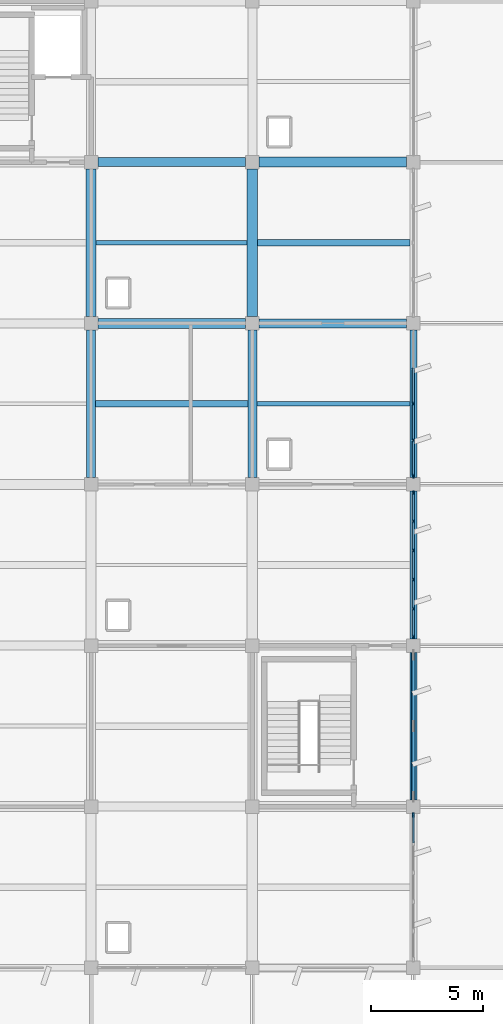
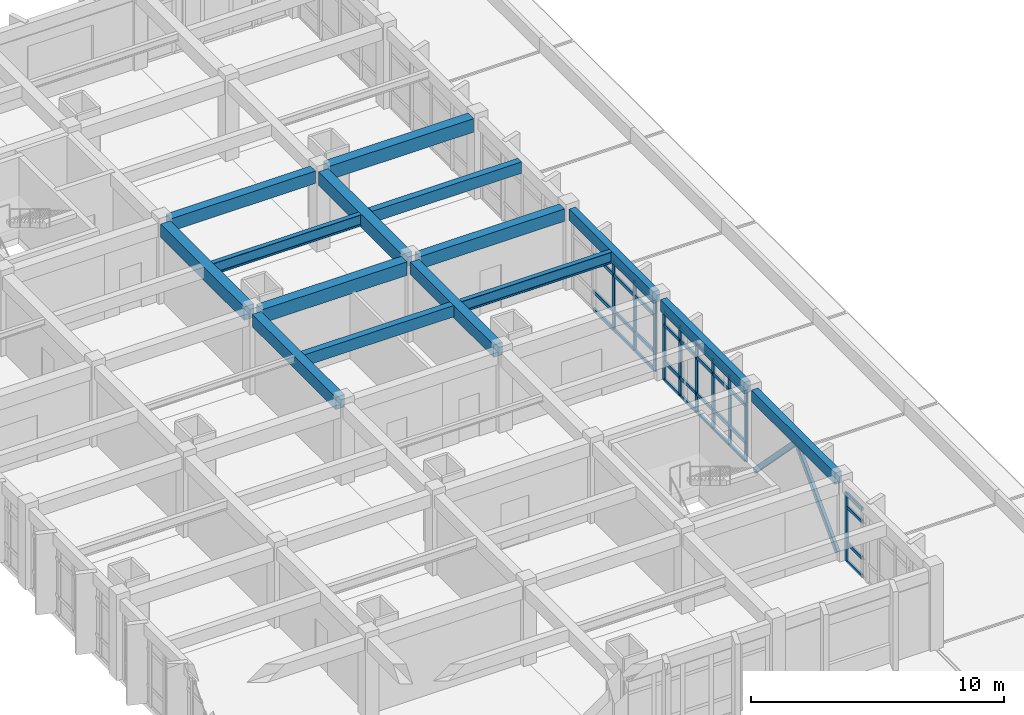
# One storey, part 23 of 62: 49 members, 13 beams, 3 elements without a shape of their own.
"""IFC4 building model written with IfcOpenShell, lengths in metres."""

from ifc_helpers import new_model, si_unit, direction, frame, origin, origin_2d, place, context, subcontext, project, spatial, rectangle, hollow_rectangle, i_section, extrude, material, layer, layer_set, material_profile, profile_set, type_object, element, aggregate, save


model = new_model("IFC4")

# Units and contexts
model_context = context("Model", 3, precision=1e-05, world=origin(), true_north=direction((0.0, 1.0)))
body_context = subcontext(model_context, "Body", "Model", "MODEL_VIEW")
ifc_project = project(units=[si_unit("LENGTHUNIT", "METRE"), si_unit("AREAUNIT", "SQUARE_METRE"), si_unit("VOLUMEUNIT", "CUBIC_METRE"), si_unit("PLANEANGLEUNIT", "RADIAN"), si_unit("MASSUNIT", "GRAM", prefix="KILO")], contexts=[model_context])

# Site, building, storey
site_placement = place(None, origin())
site = spatial("IfcSite", under=ifc_project, at=site_placement, CompositionType="ELEMENT")
building_placement = place(site_placement, origin())
building = spatial("IfcBuilding", under=site, at=building_placement, Name="Kavelor Marine Aquarium", CompositionType="ELEMENT")
storey_placement = place(building_placement, frame((0.0, 0.0, 13.5)))
storey = spatial("IfcBuildingStorey", under=building, at=storey_placement, Name="L03", CompositionType="ELEMENT", Elevation=13.5)

# Beams
ifc_material_1 = material(Name="Concrete C40/50", Category="concrete")
ifc_material_profile_1 = material_profile(ifc_material_1, rectangle(XDim=0.449951171875, YDim=0.64990234375, at=origin_2d()), Name="RC-BM 450x650")
ifc_profile_set_1 = profile_set([ifc_material_profile_1], Name="Concrete C40/50")
beam_type_1 = type_object("IfcBeamType", Name="BM-B3", PredefinedType="BEAM", material=ifc_profile_set_1)
for number, where, z_axis, x_axis, name in (
    (1, (133.10009765625, 89.199951171875, 3.534912109375), (1.0, 0.0, 0.0), (0.0, 1.0, 0.0), "bm:x:L03:L04:18_12"),
    (2, (140.300048828125, 96.39990234375, 3.554931640625), (1.0, 0.0, 0.0), (0.0, 1.0, 0.0), "bm:x:L03:L04:19_13"),
):
    element("IfcBeam", number, at=place(storey_placement, frame(where, z_axis=z_axis, x_axis=x_axis)), inside=storey, type_object=beam_type_1, Name=name, PredefinedType="BEAM", context=body_context, shape_type="SweptSolid", body=[
        extrude(rectangle(XDim=0.449951171875, YDim=0.64990234375, at=origin_2d()), origin(), (0.0, 0.0, 1.0), 6.599853515625),
    ])
for number, where, z_axis, x_axis, name in (
    (3, (132.800048828125, 89.5, 3.534912109375), (0.0, 1.0, 0.0), (-1.0, 0.0, 0.0), "bm:y:L03:L04:18_12"),
    (4, (140.0, 89.5, 3.534912109375), (0.0, 1.0, 0.0), (-1.0, 0.0, 0.0), "bm:y:L03:L04:19_12"),
):
    element("IfcBeam", number, at=place(storey_placement, frame(where, z_axis=z_axis, x_axis=x_axis)), inside=storey, type_object=beam_type_1, Name=name, PredefinedType="BEAM", context=body_context, shape_type="SweptSolid", body=[
        extrude(rectangle(XDim=0.449951171875, YDim=0.64990234375, at=origin_2d()), origin(), (0.0, 0.0, 1.0), 6.60009765625),
    ])
ifc_material_2 = material(Name="Concrete C40/50", Category="concrete")
ifc_material_profile_2 = material_profile(ifc_material_2, rectangle(XDim=0.39990234375, YDim=0.60009765625, at=origin_2d()), Name="RC-BM 400x600")
ifc_profile_set_2 = profile_set([ifc_material_profile_2], Name="Concrete C40/50")
beam_type_2 = type_object("IfcBeamType", Name="BM-B4", PredefinedType="BEAM", material=ifc_profile_set_2)
for number, where, z_axis, x_axis, name in (
    (5, (133.10009765625, 96.39990234375, 3.56005859375), (1.0, 0.0, 0.0), (0.0, 1.0, 0.0), "bm:x:L03:L04:18_13"),
    (6, (140.300048828125, 89.199951171875, 3.580078125), (1.0, 0.0, 0.0), (0.0, 1.0, 0.0), "bm:x:L03:L04:19_12"),
    (7, (132.800048828125, 82.300048828125, 3.56005859375), (0.0, 1.0, 0.0), (-1.0, 0.0, 0.0), "bm:y:L03:L04:18_11"),
    (8, (140.0, 82.300048828125, 3.56005859375), (0.0, 1.0, 0.0), (-1.0, 0.0, 0.0), "bm:y:L03:L04:19_11"),
):
    element("IfcBeam", number, at=place(storey_placement, frame(where, z_axis=z_axis, x_axis=x_axis)), inside=storey, type_object=beam_type_2, Name=name, PredefinedType="BEAM", context=body_context, shape_type="SweptSolid", body=[
        extrude(rectangle(XDim=0.39990234375, YDim=0.60009765625, at=origin_2d()), origin(), (0.0, 0.0, 1.0), 6.599853515625),
    ])
ifc_material_3 = material(Name="Concrete C40/50", Category="concrete")
ifc_material_profile_3 = material_profile(ifc_material_3, rectangle(XDim=0.300048828125, YDim=0.550048828125, at=origin_2d()), Name="RC-JS 300x550")
ifc_profile_set_3 = profile_set([ifc_material_profile_3], Name="Concrete C40/50")
beam_type_3 = type_object("IfcBeamType", Name="BM-JS2", PredefinedType="JOIST", material=ifc_profile_set_3)
beam_1_placement = place(storey_placement, frame((133.0, 85.60009765625, 3.5849609375), z_axis=(1.0, 0.0, 0.0), x_axis=(0.0, 1.0, 0.0)))
element("IfcBeam", 9, at=beam_1_placement, inside=storey, type_object=beam_type_3, Name="js:L03:L04:18_11", PredefinedType="JOIST", context=body_context, shape_type="SweptSolid", body=[
    extrude(rectangle(XDim=0.300048828125, YDim=0.550048828125, at=origin_2d()), origin(), (0.0, 0.0, 1.0), 6.800048828125),
])
beam_2_placement = place(storey_placement, frame((140.22509765625, 92.800048828125, 3.60498046875), z_axis=(1.0, 0.0, 0.0), x_axis=(0.0, 1.0, 0.0)))
element("IfcBeam", 10, at=beam_2_placement, inside=storey, type_object=beam_type_3, Name="js:L03:L04:19_12", PredefinedType="JOIST", context=body_context, shape_type="SweptSolid", body=[
    extrude(rectangle(XDim=0.300048828125, YDim=0.550048828125, at=origin_2d()), origin(), (0.0, 0.0, 1.0), 6.824951171875),
])
ifc_material_4 = material(Name="Concrete C40/50", Category="concrete")
ifc_material_profile_4 = material_profile(ifc_material_4, rectangle(XDim=0.300048828125, YDim=0.550048828125, at=origin_2d()), Name="RC-SP 300x550")
ifc_profile_set_4 = profile_set([ifc_material_profile_4], Name="Concrete C40/50")
beam_type_4 = type_object("IfcBeamType", Name="BM-SP2", PredefinedType="SPANDREL", material=ifc_profile_set_4)
beam_3_placement = place(storey_placement, frame((147.199951171875, 67.89990234375, 3.60498046875), z_axis=(0.0, 1.0, 0.0), x_axis=(-1.0, 0.0, 0.0)))
element("IfcBeam", 11, at=beam_3_placement, inside=storey, type_object=beam_type_4, Name="bm:y:L03:L04:20_09", PredefinedType="SPANDREL", context=body_context, shape_type="SweptSolid", body=[
    extrude(rectangle(XDim=0.300048828125, YDim=0.550048828125, at=origin_2d()), origin(), (0.0, 0.0, 1.0), 6.60009765625),
])
for number, where, z_axis, x_axis, name in (
    (12, (147.199951171875, 75.10009765625, 3.60498046875), (0.0, 1.0, 0.0), (-1.0, 0.0, 0.0), "bm:y:L03:L04:20_10"),
    (13, (147.199951171875, 82.300048828125, 3.60498046875), (0.0, 1.0, 0.0), (-1.0, 0.0, 0.0), "bm:y:L03:L04:20_11"),
):
    element("IfcBeam", number, at=place(storey_placement, frame(where, z_axis=z_axis, x_axis=x_axis)), inside=storey, type_object=beam_type_4, Name=name, PredefinedType="SPANDREL", context=body_context, shape_type="SweptSolid", body=[
        extrude(rectangle(XDim=0.300048828125, YDim=0.550048828125, at=origin_2d()), origin(), (0.0, 0.0, 1.0), 6.599853515625),
    ])

# Curtain wall, members
ifc_material_5 = material(Name="Thermally Broken Aluminium and Low-E Glass", Category="aluminium")
ifc_layer_1 = layer(ifc_material_5, 0.219970703125)
ifc_layer_set_1 = layer_set([ifc_layer_1], Name="CW-SYS10")
curtain_wall_type_1 = type_object("IfcCurtainWallType", Name="CW-SYS10", PredefinedType="USERDEFINED", material=ifc_layer_set_1)
curtain_wall_1_placement = place(storey_placement, origin())
curtain_wall_1 = element("IfcCurtainWall", 14, at=curtain_wall_1_placement, inside=storey, type_object=curtain_wall_type_1, Name="cw:y:L03:20_10", ObjectType="Curtain Wall", PredefinedType="USERDEFINED")
ifc_material_6 = material(Name="Anodised Aluminium Alloy 6063-T6", Category="aluminium")
ifc_material_profile_5 = material_profile(ifc_material_6, rectangle(XDim=0.074951171875, YDim=0.179931640625, at=origin_2d()), Name="CW-MUL 75x180")
ifc_profile_set_5 = profile_set([ifc_material_profile_5], Name="Anodised Aluminium Alloy 6063-T6")
member_type_1 = type_object("IfcMemberType", Name="CWM-1", PredefinedType="MULLION", material=ifc_profile_set_5)
member_1_placement = place(storey_placement, frame((147.199951171875, 75.1826171875, 0.0), z_axis=(0.0, 0.0, 1.0), x_axis=(-1.0, 0.0, 0.0)))
member_1 = element("IfcMember", 15, at=member_1_placement, type_object=member_type_1, Name="CW10 mullion 1", PredefinedType="MULLION", context=body_context, shape_type="SweptSolid", body=[
    extrude(rectangle(XDim=0.074951171875, YDim=0.179931640625, at=origin_2d()), origin(), (0.0, 0.0, 1.0), 3.320068359375),
])
member_2_placement = place(storey_placement, frame((147.199951171875, 76.447021484375, 0.0), z_axis=(0.0, 0.0, 1.0), x_axis=(-1.0, 0.0, 0.0)))
member_2 = element("IfcMember", 16, at=member_2_placement, type_object=member_type_1, Name="CW10 mullion 2", PredefinedType="MULLION", context=body_context, shape_type="SweptSolid", body=[
    extrude(rectangle(XDim=0.074951171875, YDim=0.179931640625, at=origin_2d()), origin(), (0.0, 0.0, 1.0), 3.320068359375),
])
member_3_placement = place(storey_placement, frame((147.199951171875, 77.7490234375, 0.0), z_axis=(0.0, 0.0, 1.0), x_axis=(-1.0, 0.0, 0.0)))
member_3 = element("IfcMember", 17, at=member_3_placement, type_object=member_type_1, Name="CW10 mullion 3", PredefinedType="MULLION", context=body_context, shape_type="SweptSolid", body=[
    extrude(rectangle(XDim=0.074951171875, YDim=0.179931640625, at=origin_2d()), origin(), (0.0, 0.0, 1.0), 3.320068359375),
])
member_4_placement = place(storey_placement, frame((147.199951171875, 79.051025390625, 0.0), z_axis=(0.0, 0.0, 1.0), x_axis=(-1.0, 0.0, 0.0)))
member_4 = element("IfcMember", 18, at=member_4_placement, type_object=member_type_1, Name="CW10 mullion 4", PredefinedType="MULLION", context=body_context, shape_type="SweptSolid", body=[
    extrude(rectangle(XDim=0.074951171875, YDim=0.179931640625, at=origin_2d()), origin(), (0.0, 0.0, 1.0), 3.320068359375),
])
member_5_placement = place(storey_placement, frame((147.199951171875, 80.35302734375, 0.0), z_axis=(0.0, 0.0, 1.0), x_axis=(-1.0, 0.0, 0.0)))
member_5 = element("IfcMember", 19, at=member_5_placement, type_object=member_type_1, Name="CW10 mullion 5", PredefinedType="MULLION", context=body_context, shape_type="SweptSolid", body=[
    extrude(rectangle(XDim=0.074951171875, YDim=0.179931640625, at=origin_2d()), origin(), (0.0, 0.0, 1.0), 3.320068359375),
])
member_6_placement = place(storey_placement, frame((147.199951171875, 81.617431640625, 0.0), z_axis=(0.0, 0.0, 1.0), x_axis=(-1.0, 0.0, 0.0)))
member_6 = element("IfcMember", 20, at=member_6_placement, type_object=member_type_1, Name="CW10 mullion 6", PredefinedType="MULLION", context=body_context, shape_type="SweptSolid", body=[
    extrude(rectangle(XDim=0.074951171875, YDim=0.179931640625, at=origin_2d()), origin(), (0.0, 0.0, 1.0), 3.320068359375),
])

ifc_material_7 = material(Name="Thermally Broken Aluminium and Low-E Glass", Category="aluminium")
ifc_layer_2 = layer(ifc_material_7, 0.22802734375)
ifc_layer_set_2 = layer_set([ifc_layer_2], Name="CW-SYS11")
curtain_wall_type_2 = type_object("IfcCurtainWallType", Name="CW-SYS11", PredefinedType="USERDEFINED", material=ifc_layer_set_2)
curtain_wall_2_placement = place(storey_placement, origin())
curtain_wall_2 = element("IfcCurtainWall", 21, at=curtain_wall_2_placement, inside=storey, type_object=curtain_wall_type_2, Name="cw:y:L03:20_11", ObjectType="Curtain Wall", PredefinedType="USERDEFINED")
ifc_material_8 = material(Name="Anodised Aluminium Alloy 6063-T6", Category="aluminium")
ifc_material_profile_6 = material_profile(ifc_material_8, rectangle(XDim=0.080078125, YDim=0.18505859375, at=origin_2d()), Name="CW-MUL 80x185")
ifc_profile_set_6 = profile_set([ifc_material_profile_6], Name="Anodised Aluminium Alloy 6063-T6")
member_type_2 = type_object("IfcMemberType", Name="CWM-2", PredefinedType="MULLION", material=ifc_profile_set_6)
member_7_placement = place(storey_placement, frame((147.199951171875, 82.37744140625, 0.0), z_axis=(0.0, 0.0, 1.0), x_axis=(-1.0, 0.0, 0.0)))
member_7 = element("IfcMember", 22, at=member_7_placement, type_object=member_type_2, Name="CW11 mullion 1", PredefinedType="MULLION", context=body_context, shape_type="SweptSolid", body=[
    extrude(rectangle(XDim=0.080078125, YDim=0.18505859375, at=origin_2d()), origin(), (0.0, 0.0, 1.0), 3.320068359375),
])
member_8_placement = place(storey_placement, frame((147.199951171875, 83.972412109375, 0.0), z_axis=(0.0, 0.0, 1.0), x_axis=(-1.0, 0.0, 0.0)))
member_8 = element("IfcMember", 23, at=member_8_placement, type_object=member_type_2, Name="CW11 mullion 2", PredefinedType="MULLION", context=body_context, shape_type="SweptSolid", body=[
    extrude(rectangle(XDim=0.080078125, YDim=0.18505859375, at=origin_2d()), origin(), (0.0, 0.0, 1.0), 3.320068359375),
])
member_9_placement = place(storey_placement, frame((147.199951171875, 85.60009765625, 0.0), z_axis=(0.0, 0.0, 1.0), x_axis=(-1.0, 0.0, 0.0)))
member_9 = element("IfcMember", 24, at=member_9_placement, type_object=member_type_2, Name="CW11 mullion 3", PredefinedType="MULLION", context=body_context, shape_type="SweptSolid", body=[
    extrude(rectangle(XDim=0.080078125, YDim=0.18505859375, at=origin_2d()), origin(), (0.0, 0.0, 1.0), 3.320068359375),
])

ifc_material_9 = material(Name="Thermally Broken Aluminium and Low-E Glass", Category="aluminium")
ifc_layer_3 = layer(ifc_material_9, 0.2119140625)
ifc_layer_set_3 = layer_set([ifc_layer_3], Name="CW-SYS9")
curtain_wall_type_3 = type_object("IfcCurtainWallType", Name="CW-SYS9", PredefinedType="USERDEFINED", material=ifc_layer_set_3)
curtain_wall_3_placement = place(storey_placement, origin())
curtain_wall_3 = element("IfcCurtainWall", 25, at=curtain_wall_3_placement, inside=storey, type_object=curtain_wall_type_3, Name="cw:y:L03:20_08", ObjectType="Curtain Wall", PredefinedType="USERDEFINED")
ifc_material_10 = material(Name="Anodised Aluminium Alloy 6063-T6", Category="aluminium")
ifc_material_profile_7 = material_profile(ifc_material_10, rectangle(XDim=0.0849609375, YDim=0.18994140625, at=origin_2d()), Name="CW-MUL 85x190")
ifc_profile_set_7 = profile_set([ifc_material_profile_7], Name="Anodised Aluminium Alloy 6063-T6")
member_type_3 = type_object("IfcMemberType", Name="CWM-3", PredefinedType="MULLION", material=ifc_profile_set_7)
member_10_placement = place(storey_placement, frame((147.199951171875, 67.22509765625, 0.0), z_axis=(0.0, 0.0, 1.0), x_axis=(-1.0, 0.0, 0.0)))
member_10 = element("IfcMember", 26, at=member_10_placement, type_object=member_type_3, Name="CW09 mullion 6", PredefinedType="MULLION", context=body_context, shape_type="SweptSolid", body=[
    extrude(rectangle(XDim=0.0849609375, YDim=0.18994140625, at=origin_2d()), origin(), (0.0, 0.0, 1.0), 3.300048828125),
])
ifc_material_11 = material(Name="Anodised Aluminium Alloy 6063-T6", Category="aluminium")
ifc_material_profile_8 = material_profile(ifc_material_11, rectangle(XDim=0.080078125, YDim=0.155029296875, at=origin_2d()), Name="CW-TRN 80x155")
ifc_profile_set_8 = profile_set([ifc_material_profile_8], Name="Anodised Aluminium Alloy 6063-T6")
member_type_4 = type_object("IfcMemberType", Name="CWT-2", PredefinedType="USERDEFINED", material=ifc_profile_set_8)
member_11_placement = place(storey_placement, frame((147.199951171875, 65.98291015625, 0.032470703125), z_axis=(0.0, 1.0, 0.0), x_axis=(-1.0, 0.0, 0.0)))
member_11 = element("IfcMember", 27, at=member_11_placement, type_object=member_type_4, Name="CW09 transom 5.1", ObjectType="TRANSOM", PredefinedType="USERDEFINED", context=body_context, shape_type="SweptSolid", body=[
    extrude(rectangle(XDim=0.080078125, YDim=0.155029296875, at=origin_2d()), origin(), (0.0, 0.0, 1.0), 1.212158203125),
])
member_12_placement = place(storey_placement, frame((147.199951171875, 65.98291015625, 0.89990234375), z_axis=(0.0, 1.0, 0.0), x_axis=(-1.0, 0.0, 0.0)))
member_12 = element("IfcMember", 28, at=member_12_placement, type_object=member_type_4, Name="CW09 transom 5.2", ObjectType="TRANSOM", PredefinedType="USERDEFINED", context=body_context, shape_type="SweptSolid", body=[
    extrude(rectangle(XDim=0.080078125, YDim=0.155029296875, at=origin_2d()), origin(), (0.0, 0.0, 1.0), 1.212158203125),
])
member_13_placement = place(storey_placement, frame((147.199951171875, 65.98291015625, 2.64990234375), z_axis=(0.0, 1.0, 0.0), x_axis=(-1.0, 0.0, 0.0)))
member_13 = element("IfcMember", 29, at=member_13_placement, type_object=member_type_4, Name="CW09 transom 5.3", ObjectType="TRANSOM", PredefinedType="USERDEFINED", context=body_context, shape_type="SweptSolid", body=[
    extrude(rectangle(XDim=0.080078125, YDim=0.155029296875, at=origin_2d()), origin(), (0.0, 0.0, 1.0), 1.212158203125),
])
member_14_placement = place(storey_placement, frame((147.199951171875, 65.98291015625, 3.267578125), z_axis=(0.0, 1.0, 0.0), x_axis=(-1.0, 0.0, 0.0)))
member_14 = element("IfcMember", 30, at=member_14_placement, type_object=member_type_4, Name="CW09 transom 5.4", ObjectType="TRANSOM", PredefinedType="USERDEFINED", context=body_context, shape_type="SweptSolid", body=[
    extrude(rectangle(XDim=0.080078125, YDim=0.155029296875, at=origin_2d()), origin(), (0.0, 0.0, 1.0), 1.212158203125),
])
aggregate(curtain_wall_3, [member_10, member_11, member_12, member_13, member_14])

# Member
ifc_material_12 = material(Name="Anodised Aluminium Alloy 6063-T6", Category="aluminium")
ifc_material_profile_9 = material_profile(ifc_material_12, rectangle(XDim=0.0849609375, YDim=0.159912109375, at=origin_2d()), Name="CW-TRN 85x160")
ifc_profile_set_9 = profile_set([ifc_material_profile_9], Name="Anodised Aluminium Alloy 6063-T6")
member_type_5 = type_object("IfcMemberType", Name="CWT-3", PredefinedType="USERDEFINED", material=ifc_profile_set_9)
member_15_placement = place(storey_placement, frame((147.199951171875, 75.219970703125, 0.030029296875), z_axis=(0.0, 1.0, 0.0), x_axis=(-1.0, 0.0, 0.0)))
member_15 = element("IfcMember", 31, at=member_15_placement, type_object=member_type_5, Name="CW10 transom 1.1", ObjectType="TRANSOM", PredefinedType="USERDEFINED", context=body_context, shape_type="SweptSolid", body=[
    extrude(rectangle(XDim=0.0849609375, YDim=0.159912109375, at=origin_2d()), origin(), (0.0, 0.0, 1.0), 1.189453125),
])

member_16_placement = place(storey_placement, frame((147.199951171875, 75.219970703125, 0.89990234375), z_axis=(0.0, 1.0, 0.0), x_axis=(-1.0, 0.0, 0.0)))
member_16 = element("IfcMember", 32, at=member_16_placement, type_object=member_type_5, Name="CW10 transom 1.2", ObjectType="TRANSOM", PredefinedType="USERDEFINED", context=body_context, shape_type="SweptSolid", body=[
    extrude(rectangle(XDim=0.0849609375, YDim=0.159912109375, at=origin_2d()), origin(), (0.0, 0.0, 1.0), 1.189453125),
])

member_17_placement = place(storey_placement, frame((147.199951171875, 75.219970703125, 2.669921875), z_axis=(0.0, 1.0, 0.0), x_axis=(-1.0, 0.0, 0.0)))
member_17 = element("IfcMember", 33, at=member_17_placement, type_object=member_type_5, Name="CW10 transom 1.3", ObjectType="TRANSOM", PredefinedType="USERDEFINED", context=body_context, shape_type="SweptSolid", body=[
    extrude(rectangle(XDim=0.0849609375, YDim=0.159912109375, at=origin_2d()), origin(), (0.0, 0.0, 1.0), 1.189453125),
])

member_18_placement = place(storey_placement, frame((147.199951171875, 75.219970703125, 3.2900390625), z_axis=(0.0, 1.0, 0.0), x_axis=(-1.0, 0.0, 0.0)))
member_18 = element("IfcMember", 34, at=member_18_placement, type_object=member_type_5, Name="CW10 transom 1.4", ObjectType="TRANSOM", PredefinedType="USERDEFINED", context=body_context, shape_type="SweptSolid", body=[
    extrude(rectangle(XDim=0.0849609375, YDim=0.159912109375, at=origin_2d()), origin(), (0.0, 0.0, 1.0), 1.189453125),
])

member_19_placement = place(storey_placement, frame((147.199951171875, 76.484619140625, 0.030029296875), z_axis=(0.0, 1.0, 0.0), x_axis=(-1.0, 0.0, 0.0)))
member_19 = element("IfcMember", 35, at=member_19_placement, type_object=member_type_5, Name="CW10 transom 2.1", ObjectType="TRANSOM", PredefinedType="USERDEFINED", context=body_context, shape_type="SweptSolid", body=[
    extrude(rectangle(XDim=0.0849609375, YDim=0.159912109375, at=origin_2d()), origin(), (0.0, 0.0, 1.0), 1.226806640625),
])

member_20_placement = place(storey_placement, frame((147.199951171875, 76.484619140625, 0.89990234375), z_axis=(0.0, 1.0, 0.0), x_axis=(-1.0, 0.0, 0.0)))
member_20 = element("IfcMember", 36, at=member_20_placement, type_object=member_type_5, Name="CW10 transom 2.2", ObjectType="TRANSOM", PredefinedType="USERDEFINED", context=body_context, shape_type="SweptSolid", body=[
    extrude(rectangle(XDim=0.0849609375, YDim=0.159912109375, at=origin_2d()), origin(), (0.0, 0.0, 1.0), 1.226806640625),
])

member_21_placement = place(storey_placement, frame((147.199951171875, 76.484619140625, 2.669921875), z_axis=(0.0, 1.0, 0.0), x_axis=(-1.0, 0.0, 0.0)))
member_21 = element("IfcMember", 37, at=member_21_placement, type_object=member_type_5, Name="CW10 transom 2.3", ObjectType="TRANSOM", PredefinedType="USERDEFINED", context=body_context, shape_type="SweptSolid", body=[
    extrude(rectangle(XDim=0.0849609375, YDim=0.159912109375, at=origin_2d()), origin(), (0.0, 0.0, 1.0), 1.226806640625),
])

member_22_placement = place(storey_placement, frame((147.199951171875, 76.484619140625, 3.2900390625), z_axis=(0.0, 1.0, 0.0), x_axis=(-1.0, 0.0, 0.0)))
member_22 = element("IfcMember", 38, at=member_22_placement, type_object=member_type_5, Name="CW10 transom 2.4", ObjectType="TRANSOM", PredefinedType="USERDEFINED", context=body_context, shape_type="SweptSolid", body=[
    extrude(rectangle(XDim=0.0849609375, YDim=0.159912109375, at=origin_2d()), origin(), (0.0, 0.0, 1.0), 1.226806640625),
])

member_23_placement = place(storey_placement, frame((147.199951171875, 77.78662109375, 0.030029296875), z_axis=(0.0, 1.0, 0.0), x_axis=(-1.0, 0.0, 0.0)))
member_23 = element("IfcMember", 39, at=member_23_placement, type_object=member_type_5, Name="CW10 transom 3.1", ObjectType="TRANSOM", PredefinedType="USERDEFINED", context=body_context, shape_type="SweptSolid", body=[
    extrude(rectangle(XDim=0.0849609375, YDim=0.159912109375, at=origin_2d()), origin(), (0.0, 0.0, 1.0), 1.226806640625),
])

member_24_placement = place(storey_placement, frame((147.199951171875, 77.78662109375, 0.89990234375), z_axis=(0.0, 1.0, 0.0), x_axis=(-1.0, 0.0, 0.0)))
member_24 = element("IfcMember", 40, at=member_24_placement, type_object=member_type_5, Name="CW10 transom 3.2", ObjectType="TRANSOM", PredefinedType="USERDEFINED", context=body_context, shape_type="SweptSolid", body=[
    extrude(rectangle(XDim=0.0849609375, YDim=0.159912109375, at=origin_2d()), origin(), (0.0, 0.0, 1.0), 1.226806640625),
])

member_25_placement = place(storey_placement, frame((147.199951171875, 77.78662109375, 2.669921875), z_axis=(0.0, 1.0, 0.0), x_axis=(-1.0, 0.0, 0.0)))
member_25 = element("IfcMember", 41, at=member_25_placement, type_object=member_type_5, Name="CW10 transom 3.3", ObjectType="TRANSOM", PredefinedType="USERDEFINED", context=body_context, shape_type="SweptSolid", body=[
    extrude(rectangle(XDim=0.0849609375, YDim=0.159912109375, at=origin_2d()), origin(), (0.0, 0.0, 1.0), 1.226806640625),
])

member_26_placement = place(storey_placement, frame((147.199951171875, 77.78662109375, 3.2900390625), z_axis=(0.0, 1.0, 0.0), x_axis=(-1.0, 0.0, 0.0)))
member_26 = element("IfcMember", 42, at=member_26_placement, type_object=member_type_5, Name="CW10 transom 3.4", ObjectType="TRANSOM", PredefinedType="USERDEFINED", context=body_context, shape_type="SweptSolid", body=[
    extrude(rectangle(XDim=0.0849609375, YDim=0.159912109375, at=origin_2d()), origin(), (0.0, 0.0, 1.0), 1.226806640625),
])

member_27_placement = place(storey_placement, frame((147.199951171875, 79.08837890625, 0.030029296875), z_axis=(0.0, 1.0, 0.0), x_axis=(-1.0, 0.0, 0.0)))
member_27 = element("IfcMember", 43, at=member_27_placement, type_object=member_type_5, Name="CW10 transom 4.1", ObjectType="TRANSOM", PredefinedType="USERDEFINED", context=body_context, shape_type="SweptSolid", body=[
    extrude(rectangle(XDim=0.0849609375, YDim=0.159912109375, at=origin_2d()), origin(), (0.0, 0.0, 1.0), 1.22705078125),
])

member_28_placement = place(storey_placement, frame((147.199951171875, 79.08837890625, 0.89990234375), z_axis=(0.0, 1.0, 0.0), x_axis=(-1.0, 0.0, 0.0)))
member_28 = element("IfcMember", 44, at=member_28_placement, type_object=member_type_5, Name="CW10 transom 4.2", ObjectType="TRANSOM", PredefinedType="USERDEFINED", context=body_context, shape_type="SweptSolid", body=[
    extrude(rectangle(XDim=0.0849609375, YDim=0.159912109375, at=origin_2d()), origin(), (0.0, 0.0, 1.0), 1.22705078125),
])

member_29_placement = place(storey_placement, frame((147.199951171875, 79.08837890625, 2.669921875), z_axis=(0.0, 1.0, 0.0), x_axis=(-1.0, 0.0, 0.0)))
member_29 = element("IfcMember", 45, at=member_29_placement, type_object=member_type_5, Name="CW10 transom 4.3", ObjectType="TRANSOM", PredefinedType="USERDEFINED", context=body_context, shape_type="SweptSolid", body=[
    extrude(rectangle(XDim=0.0849609375, YDim=0.159912109375, at=origin_2d()), origin(), (0.0, 0.0, 1.0), 1.22705078125),
])

member_30_placement = place(storey_placement, frame((147.199951171875, 79.08837890625, 3.2900390625), z_axis=(0.0, 1.0, 0.0), x_axis=(-1.0, 0.0, 0.0)))
member_30 = element("IfcMember", 46, at=member_30_placement, type_object=member_type_5, Name="CW10 transom 4.4", ObjectType="TRANSOM", PredefinedType="USERDEFINED", context=body_context, shape_type="SweptSolid", body=[
    extrude(rectangle(XDim=0.0849609375, YDim=0.159912109375, at=origin_2d()), origin(), (0.0, 0.0, 1.0), 1.22705078125),
])

member_31_placement = place(storey_placement, frame((147.199951171875, 80.390380859375, 0.030029296875), z_axis=(0.0, 1.0, 0.0), x_axis=(-1.0, 0.0, 0.0)))
member_31 = element("IfcMember", 47, at=member_31_placement, type_object=member_type_5, Name="CW10 transom 5.1", ObjectType="TRANSOM", PredefinedType="USERDEFINED", context=body_context, shape_type="SweptSolid", body=[
    extrude(rectangle(XDim=0.0849609375, YDim=0.159912109375, at=origin_2d()), origin(), (0.0, 0.0, 1.0), 1.189697265625),
])

member_32_placement = place(storey_placement, frame((147.199951171875, 80.390380859375, 0.89990234375), z_axis=(0.0, 1.0, 0.0), x_axis=(-1.0, 0.0, 0.0)))
member_32 = element("IfcMember", 48, at=member_32_placement, type_object=member_type_5, Name="CW10 transom 5.2", ObjectType="TRANSOM", PredefinedType="USERDEFINED", context=body_context, shape_type="SweptSolid", body=[
    extrude(rectangle(XDim=0.0849609375, YDim=0.159912109375, at=origin_2d()), origin(), (0.0, 0.0, 1.0), 1.189697265625),
])

member_33_placement = place(storey_placement, frame((147.199951171875, 80.390380859375, 2.669921875), z_axis=(0.0, 1.0, 0.0), x_axis=(-1.0, 0.0, 0.0)))
member_33 = element("IfcMember", 49, at=member_33_placement, type_object=member_type_5, Name="CW10 transom 5.3", ObjectType="TRANSOM", PredefinedType="USERDEFINED", context=body_context, shape_type="SweptSolid", body=[
    extrude(rectangle(XDim=0.0849609375, YDim=0.159912109375, at=origin_2d()), origin(), (0.0, 0.0, 1.0), 1.189697265625),
])

member_34_placement = place(storey_placement, frame((147.199951171875, 80.390380859375, 3.2900390625), z_axis=(0.0, 1.0, 0.0), x_axis=(-1.0, 0.0, 0.0)))
member_34 = element("IfcMember", 50, at=member_34_placement, type_object=member_type_5, Name="CW10 transom 5.4", ObjectType="TRANSOM", PredefinedType="USERDEFINED", context=body_context, shape_type="SweptSolid", body=[
    extrude(rectangle(XDim=0.0849609375, YDim=0.159912109375, at=origin_2d()), origin(), (0.0, 0.0, 1.0), 1.189697265625),
])

aggregate(curtain_wall_1, [member_1, member_2, member_3, member_4, member_5, member_6, member_15, member_16, member_17, member_18, member_19, member_20, member_21, member_22, member_23, member_24, member_25, member_26, member_27, member_28, member_29, member_30, member_31, member_32, member_33, member_34])

member_35_placement = place(storey_placement, frame((147.199951171875, 82.409912109375, 0.030029296875), z_axis=(0.0, 1.0, 0.0), x_axis=(-1.0, 0.0, 0.0)))
member_35 = element("IfcMember", 51, at=member_35_placement, type_object=member_type_5, Name="CW11 transom 1.1", ObjectType="TRANSOM", PredefinedType="USERDEFINED", context=body_context, shape_type="SweptSolid", body=[
    extrude(rectangle(XDim=0.0849609375, YDim=0.159912109375, at=origin_2d()), origin(), (0.0, 0.0, 1.0), 1.530029296875),
])

member_36_placement = place(storey_placement, frame((147.199951171875, 82.409912109375, 0.89990234375), z_axis=(0.0, 1.0, 0.0), x_axis=(-1.0, 0.0, 0.0)))
member_36 = element("IfcMember", 52, at=member_36_placement, type_object=member_type_5, Name="CW11 transom 1.2", ObjectType="TRANSOM", PredefinedType="USERDEFINED", context=body_context, shape_type="SweptSolid", body=[
    extrude(rectangle(XDim=0.0849609375, YDim=0.159912109375, at=origin_2d()), origin(), (0.0, 0.0, 1.0), 1.530029296875),
])

member_37_placement = place(storey_placement, frame((147.199951171875, 82.409912109375, 2.669921875), z_axis=(0.0, 1.0, 0.0), x_axis=(-1.0, 0.0, 0.0)))
member_37 = element("IfcMember", 53, at=member_37_placement, type_object=member_type_5, Name="CW11 transom 1.3", ObjectType="TRANSOM", PredefinedType="USERDEFINED", context=body_context, shape_type="SweptSolid", body=[
    extrude(rectangle(XDim=0.0849609375, YDim=0.159912109375, at=origin_2d()), origin(), (0.0, 0.0, 1.0), 1.530029296875),
])

member_38_placement = place(storey_placement, frame((147.199951171875, 82.409912109375, 3.2900390625), z_axis=(0.0, 1.0, 0.0), x_axis=(-1.0, 0.0, 0.0)))
member_38 = element("IfcMember", 54, at=member_38_placement, type_object=member_type_5, Name="CW11 transom 1.4", ObjectType="TRANSOM", PredefinedType="USERDEFINED", context=body_context, shape_type="SweptSolid", body=[
    extrude(rectangle(XDim=0.0849609375, YDim=0.159912109375, at=origin_2d()), origin(), (0.0, 0.0, 1.0), 1.530029296875),
])

member_39_placement = place(storey_placement, frame((147.199951171875, 84.0048828125, 0.030029296875), z_axis=(0.0, 1.0, 0.0), x_axis=(-1.0, 0.0, 0.0)))
member_39 = element("IfcMember", 55, at=member_39_placement, type_object=member_type_5, Name="CW11 transom 2.1", ObjectType="TRANSOM", PredefinedType="USERDEFINED", context=body_context, shape_type="SweptSolid", body=[
    extrude(rectangle(XDim=0.0849609375, YDim=0.159912109375, at=origin_2d()), origin(), (0.0, 0.0, 1.0), 1.5625),
])

member_40_placement = place(storey_placement, frame((147.199951171875, 84.0048828125, 0.89990234375), z_axis=(0.0, 1.0, 0.0), x_axis=(-1.0, 0.0, 0.0)))
member_40 = element("IfcMember", 56, at=member_40_placement, type_object=member_type_5, Name="CW11 transom 2.2", ObjectType="TRANSOM", PredefinedType="USERDEFINED", context=body_context, shape_type="SweptSolid", body=[
    extrude(rectangle(XDim=0.0849609375, YDim=0.159912109375, at=origin_2d()), origin(), (0.0, 0.0, 1.0), 1.5625),
])

member_41_placement = place(storey_placement, frame((147.199951171875, 84.0048828125, 2.669921875), z_axis=(0.0, 1.0, 0.0), x_axis=(-1.0, 0.0, 0.0)))
member_41 = element("IfcMember", 57, at=member_41_placement, type_object=member_type_5, Name="CW11 transom 2.3", ObjectType="TRANSOM", PredefinedType="USERDEFINED", context=body_context, shape_type="SweptSolid", body=[
    extrude(rectangle(XDim=0.0849609375, YDim=0.159912109375, at=origin_2d()), origin(), (0.0, 0.0, 1.0), 1.5625),
])

member_42_placement = place(storey_placement, frame((147.199951171875, 84.0048828125, 3.2900390625), z_axis=(0.0, 1.0, 0.0), x_axis=(-1.0, 0.0, 0.0)))
member_42 = element("IfcMember", 58, at=member_42_placement, type_object=member_type_5, Name="CW11 transom 2.4", ObjectType="TRANSOM", PredefinedType="USERDEFINED", context=body_context, shape_type="SweptSolid", body=[
    extrude(rectangle(XDim=0.0849609375, YDim=0.159912109375, at=origin_2d()), origin(), (0.0, 0.0, 1.0), 1.5625),
])

member_43_placement = place(storey_placement, frame((147.199951171875, 85.632568359375, 0.030029296875), z_axis=(0.0, 1.0, 0.0), x_axis=(-1.0, 0.0, 0.0)))
member_43 = element("IfcMember", 59, at=member_43_placement, type_object=member_type_5, Name="CW11 transom 3.1", ObjectType="TRANSOM", PredefinedType="USERDEFINED", context=body_context, shape_type="SweptSolid", body=[
    extrude(rectangle(XDim=0.0849609375, YDim=0.159912109375, at=origin_2d()), origin(), (0.0, 0.0, 1.0), 1.5625),
])

member_44_placement = place(storey_placement, frame((147.199951171875, 85.632568359375, 0.89990234375), z_axis=(0.0, 1.0, 0.0), x_axis=(-1.0, 0.0, 0.0)))
member_44 = element("IfcMember", 60, at=member_44_placement, type_object=member_type_5, Name="CW11 transom 3.2", ObjectType="TRANSOM", PredefinedType="USERDEFINED", context=body_context, shape_type="SweptSolid", body=[
    extrude(rectangle(XDim=0.0849609375, YDim=0.159912109375, at=origin_2d()), origin(), (0.0, 0.0, 1.0), 1.5625),
])

member_45_placement = place(storey_placement, frame((147.199951171875, 85.632568359375, 2.669921875), z_axis=(0.0, 1.0, 0.0), x_axis=(-1.0, 0.0, 0.0)))
member_45 = element("IfcMember", 61, at=member_45_placement, type_object=member_type_5, Name="CW11 transom 3.3", ObjectType="TRANSOM", PredefinedType="USERDEFINED", context=body_context, shape_type="SweptSolid", body=[
    extrude(rectangle(XDim=0.0849609375, YDim=0.159912109375, at=origin_2d()), origin(), (0.0, 0.0, 1.0), 1.5625),
])

aggregate(curtain_wall_2, [member_7, member_8, member_9, member_35, member_36, member_37, member_38, member_39, member_40, member_41, member_42, member_43, member_44, member_45])

# Members
ifc_material_13 = material(Name="Steel S355", Category="steel")
ifc_material_profile_10 = material_profile(ifc_material_13, i_section(OverallWidth=0.2099609375, OverallDepth=0.550048828125, WebThickness=0.010986328125, FlangeThickness=0.01708984375, FilletRadius=0.02392578125, at=origin_2d()), Name="IPE 550")
ifc_profile_set_10 = profile_set([ifc_material_profile_10], Name="Steel S355")
member_type_6 = type_object("IfcMemberType", Name="PR-SJ1", PredefinedType="PURLIN", material=ifc_profile_set_10)
member_46_placement = place(storey_placement, frame((133.02490234375, 92.800048828125, 3.5849609375), z_axis=(1.0, 0.0, 0.0), x_axis=(0.0, 1.0, 0.0)))
element("IfcMember", 62, at=member_46_placement, inside=storey, type_object=member_type_6, Name="js:L03:L04:18_12", PredefinedType="PURLIN", context=body_context, shape_type="SweptSolid", body=[
    extrude(i_section(OverallWidth=0.2099609375, OverallDepth=0.550048828125, WebThickness=0.010986328125, FlangeThickness=0.01708984375, FilletRadius=0.02392578125, at=origin_2d()), origin(), (0.0, 0.0, 1.0), 6.75),
])
member_47_placement = place(storey_placement, frame((140.199951171875, 85.60009765625, 3.60498046875), z_axis=(1.0, 0.0, 0.0), x_axis=(0.0, 1.0, 0.0)))
element("IfcMember", 63, at=member_47_placement, inside=storey, type_object=member_type_6, Name="js:L03:L04:19_11", PredefinedType="PURLIN", context=body_context, shape_type="SweptSolid", body=[
    extrude(i_section(OverallWidth=0.2099609375, OverallDepth=0.550048828125, WebThickness=0.010986328125, FlangeThickness=0.01708984375, FilletRadius=0.02392578125, at=origin_2d()), origin(), (0.0, 0.0, 1.0), 6.85009765625),
])
ifc_material_14 = material(Name="Steel S355", Category="steel")
ifc_material_profile_11 = material_profile(ifc_material_14, hollow_rectangle(XDim=0.14990234375, YDim=0.25, WallThickness=0.008056640625, InnerFilletRadius=0.011962890625, OuterFilletRadius=0.02001953125, at=origin_2d()), Name="RHS 250x150x8.0")
ifc_profile_set_11 = profile_set([ifc_material_profile_11], Name="Steel S355")
member_type_7 = type_object("IfcMemberType", Name="ST-BR7", PredefinedType="BRACE", material=ifc_profile_set_11)
for number, where, z_axis, x_axis, name in (
    (64, (147.199951171875, 67.949951171875, 0.0), (0.0, 0.698449725323, 0.715659123603), (-1.0, 0.0, 0.0), "sbr:a:6"),
    (65, (147.199951171875, 74.449951171875, 0.0), (0.0, -0.698449725323, 0.715659123603), (1.0, 0.0, 0.0), "sbr:b:6"),
):
    element("IfcMember", number, at=place(storey_placement, frame(where, z_axis=z_axis, x_axis=x_axis)), inside=storey, type_object=member_type_7, Name=name, PredefinedType="BRACE", context=body_context, shape_type="SweptSolid", body=[
        extrude(hollow_rectangle(XDim=0.14990234375, YDim=0.25, WallThickness=0.008056640625, InnerFilletRadius=0.011962890625, OuterFilletRadius=0.02001953125, at=origin_2d()), origin(), (0.0, 0.0, 1.0), 4.653076171875),
    ])

save(model, "model.ifc")
